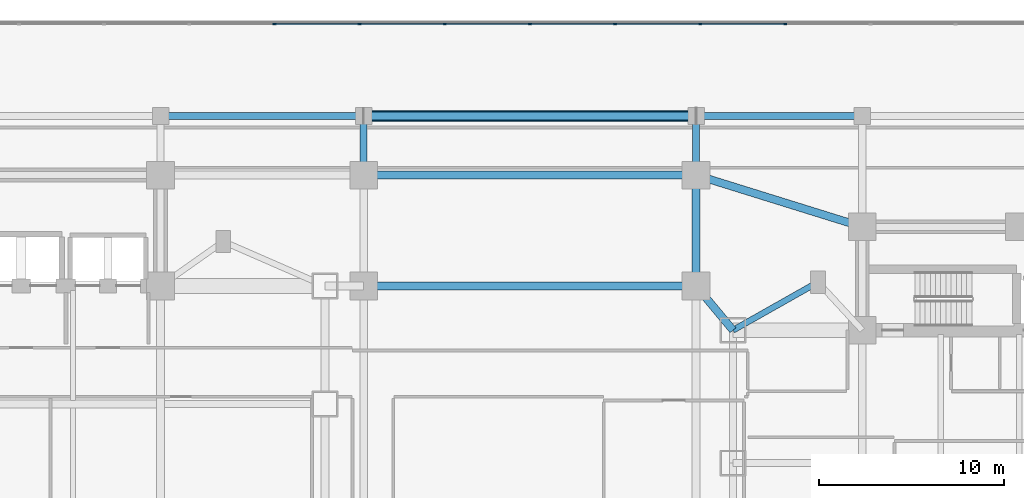
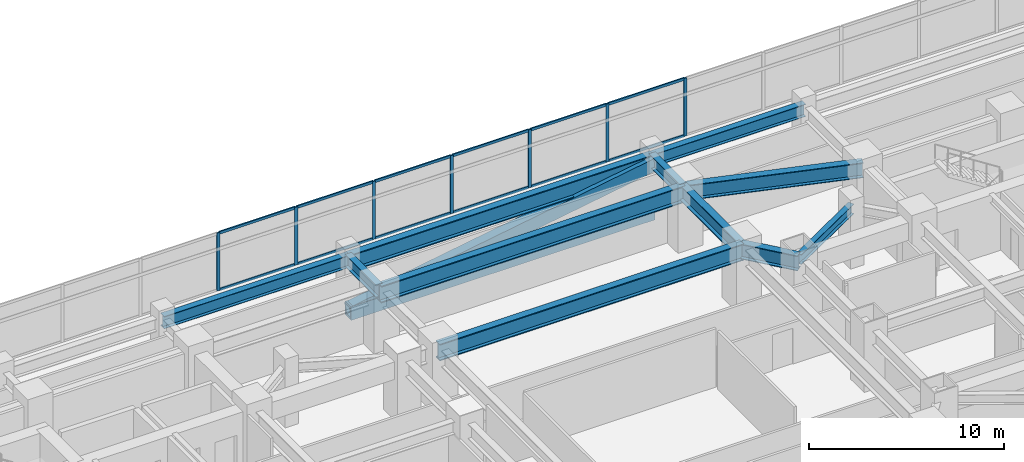
# One storey, part 7 of 27: 21 members, 11 beams, 1 element without a shape of its own.
"""IFC4 building model written with IfcOpenShell, lengths in metres."""

import ifcopenshell
import ifcopenshell.guid

model = None  # the IFC model being written
_history = None  # IfcOwnerHistory: only IFC2X3 demands one
_inside = {}  # id of a spatial element -> (the spatial element, [elements in it])
_under = {}  # id of a project, library or spatial element -> (it, [spatial elements below it])
_declared = {}  # id of a project -> (the project, [libraries it declares])
_typed = {}  # id of a type object -> (the type object, [elements of that type])
_made_of = {}  # id of a material, layer set ... -> (it, [elements and type objects made of it])


def new_model(schema):
    """Start an empty IFC model of exactly this schema.

    Asked for "IFC4X3", IfcOpenShell would pick the latest addendum, in which some entities
    have other attributes; the version numbers below select the first issue.
    IFC2X3 requires an IfcOwnerHistory on every rooted entity: one is made here for all.
    """
    global model, _history
    if schema == "IFC4X3":
        model = ifcopenshell.file(schema_version=(4, 3, 0, 0))
    else:
        model = ifcopenshell.file(schema=schema)
    _inside.clear()
    _under.clear()
    _declared.clear()
    _typed.clear()
    _made_of.clear()
    _history = None
    if model.schema == "IFC2X3":
        org = make("IfcOrganization", Name="unknown")
        user = make(
            "IfcPersonAndOrganization",
            ThePerson=make("IfcPerson", FamilyName="unknown"),
            TheOrganization=org,
        )
        app = make(
            "IfcApplication",
            ApplicationDeveloper=org,
            Version="unknown",
            ApplicationFullName="unknown",
            ApplicationIdentifier="unknown",
        )
        _history = make(
            "IfcOwnerHistory",
            OwningUser=user,
            OwningApplication=app,
            ChangeAction="ADDED",
            CreationDate=0,
        )
    return model


def make(cls, **values):
    """One entity of the class cls with the attributes given. An attribute that is None is left unset."""
    return model.create_entity(
        cls, **{name: value for name, value in values.items() if value is not None}
    )


def rooted(cls, **values):
    """An entity with a GlobalId (a new one), such as an element, a storey or a relation."""
    return make(cls, GlobalId=ifcopenshell.guid.new(), OwnerHistory=_history, **values)


def si_unit(unit_type, name, prefix=None):
    """IfcSIUnit, for example si_unit("LENGTHUNIT", "METRE", prefix="MILLI")."""
    return make("IfcSIUnit", UnitType=unit_type, Prefix=prefix, Name=name)


def assignment(units):
    """IfcUnitAssignment: the units of a project."""
    return None if units is None else make("IfcUnitAssignment", Units=units)


def point(xyz):
    """IfcCartesianPoint."""
    return None if xyz is None else make("IfcCartesianPoint", Coordinates=xyz)


def direction(xyz):
    """IfcDirection."""
    return None if xyz is None else make("IfcDirection", DirectionRatios=xyz)


def frame(location, z_axis=None, x_axis=None):
    """IfcAxis2Placement3D, a coordinate frame: its origin and axes. An axis left out is left unset."""
    return make(
        "IfcAxis2Placement3D",
        Location=point(location),
        Axis=direction(z_axis),
        RefDirection=direction(x_axis),
    )


def frame_2d(location, x_axis=None):
    """IfcAxis2Placement2D, a coordinate frame in the plane: its origin and x axis."""
    return make(
        "IfcAxis2Placement2D", Location=point(location), RefDirection=direction(x_axis)
    )


def origin():
    """The frame at (0, 0, 0) with its axes left unset."""
    return frame((0.0, 0.0, 0.0))


def origin_2d():
    """The frame at (0, 0) in the plane with its x axis left unset."""
    return frame_2d((0.0, 0.0))


def place(relative_to, where):
    """IfcLocalPlacement: puts the frame where relative to a parent placement (None: the world)."""
    return make(
        "IfcLocalPlacement", PlacementRelTo=relative_to, RelativePlacement=where
    )


def context(
    kind, dimensions, precision=None, world=None, true_north=None, identifier=None
):
    """IfcGeometricRepresentationContext, for example the 3D "Model" context."""
    return make(
        "IfcGeometricRepresentationContext",
        ContextIdentifier=identifier,
        ContextType=kind,
        CoordinateSpaceDimension=dimensions,
        Precision=precision,
        WorldCoordinateSystem=world,
        TrueNorth=true_north,
    )


def subcontext(parent, identifier, kind, view, scale=None):
    """IfcGeometricRepresentationSubContext, for example "Body" below "Model"."""
    return make(
        "IfcGeometricRepresentationSubContext",
        ContextIdentifier=identifier,
        ContextType=kind,
        ParentContext=parent,
        TargetScale=scale,
        TargetView=view,
    )


def project(units=None, contexts=None):
    """IfcProject with its units and contexts."""
    return rooted(
        "IfcProject",
        Name="project",
        RepresentationContexts=contexts,
        UnitsInContext=assignment(units),
    )


def spatial(cls, under=None, at=None, **own):
    """A site, building, storey or space (cls), placed at a placement, below another one or the project."""
    s = rooted(cls, ObjectPlacement=at, **own)
    if under is not None:
        _under.setdefault(under.id(), (under, []))[1].append(s)
    return s


def profile(cls, at=None, kind="AREA", **sizes):
    """A parametric profile (cls). Its sizes go by their IFC names, for example OverallWidth=200.0."""
    return make(cls, ProfileType=kind, Position=at, **sizes)


def rectangle(**sizes):
    """IfcRectangleProfileDef."""
    return profile("IfcRectangleProfileDef", **sizes)


def hollow_rectangle(**sizes):
    """IfcRectangleHollowProfileDef."""
    return profile("IfcRectangleHollowProfileDef", **sizes)


def i_section(**sizes):
    """IfcIShapeProfileDef."""
    return profile("IfcIShapeProfileDef", **sizes)


def extrude(swept, where, along, depth):
    """IfcExtrudedAreaSolid: the profile swept, set in the frame where, extruded along a direction by depth."""
    return make(
        "IfcExtrudedAreaSolid",
        SweptArea=swept,
        Position=where,
        ExtrudedDirection=direction(along),
        Depth=depth,
    )


def shape(context_of_items, identifier, shape_type, items):
    """IfcShapeRepresentation: the items that make up one representation, for example the "Body"."""
    return make(
        "IfcShapeRepresentation",
        ContextOfItems=context_of_items,
        RepresentationIdentifier=identifier,
        RepresentationType=shape_type,
        Items=items,
    )


def material(Name=None, Category=None):
    """IfcMaterial."""
    return make("IfcMaterial", Name=Name, Category=Category)


def material_profile(
    of_material, cross_section, Name=None, Category=None, Priority=None
):
    """IfcMaterialProfile: a cross section and its material."""
    return make(
        "IfcMaterialProfile",
        Name=Name,
        Material=of_material,
        Profile=cross_section,
        Priority=Priority,
        Category=Category,
    )


def profile_set(profiles, Name=None, composite=None):
    """IfcMaterialProfileSet."""
    return make(
        "IfcMaterialProfileSet",
        Name=Name,
        MaterialProfiles=profiles,
        CompositeProfile=composite,
    )


def made_of(thing, what):
    """Note that an element or type object is made of a material, layer set ...; save() writes the relation."""
    if what is not None:
        _made_of.setdefault(what.id(), (what, []))[1].append(thing)
    return thing


def type_object(cls, material=None, **own):
    """A type object (cls), such as IfcWallType, which elements share."""
    return made_of(rooted(cls, **own), material)


def element(
    cls,
    number,
    at=None,
    inside=None,
    cuts=None,
    type_object=None,
    material=None,
    context=None,
    identifier="Body",
    shape_type=None,
    held_by="IfcProductDefinitionShape",
    body=None,
    shapes=None,
    **own,
):
    """One element of the class cls, such as IfcWall. Its Tag is "e" and its number.

    at: its placement. inside: the storey or other place that contains it. cuts: it is an
    opening in that element (IfcRelVoidsElement). A single representation is given by context,
    identifier, shape_type and body (its items); several are given by shapes. held_by: the class
    of the entity that holds the representations. save() writes the other relations.
    """
    e = rooted(cls, Tag="e%d" % number, ObjectPlacement=at, **own)
    if body is not None:
        shapes = [shape(context, identifier, shape_type, body)]
    if shapes is not None:
        e.Representation = make(held_by, Representations=shapes)
    if inside is not None:
        _inside.setdefault(inside.id(), (inside, []))[1].append(e)
    if cuts is not None:
        rooted(
            "IfcRelVoidsElement", RelatingBuildingElement=cuts, RelatedOpeningElement=e
        )
    if type_object is not None:
        _typed.setdefault(type_object.id(), (type_object, []))[1].append(e)
    return made_of(e, material)


def aggregate(whole, parts):
    """IfcRelAggregates: a whole, such as a stair, and the parts it consists of."""
    return rooted("IfcRelAggregates", RelatingObject=whole, RelatedObjects=parts)


def save(model, path):
    """Write the relations noted so far, then the file.

    IfcRelAggregates (storeys below a building ...), IfcRelContainedInSpatialStructure (elements
    in a storey), IfcRelDefinesByType, IfcRelAssociatesMaterial and IfcRelDeclares: one each for
    every whole, place, type object, material and project.
    """
    for whole, parts in _under.values():
        aggregate(whole, parts)
    for where, things in _inside.values():
        rooted(
            "IfcRelContainedInSpatialStructure",
            RelatedElements=things,
            RelatingStructure=where,
        )
    for kind, things in _typed.values():
        rooted("IfcRelDefinesByType", RelatedObjects=things, RelatingType=kind)
    for what, things in _made_of.values():
        rooted("IfcRelAssociatesMaterial", RelatedObjects=things, RelatingMaterial=what)
    for by, libraries in _declared.values():
        rooted("IfcRelDeclares", RelatingContext=by, RelatedDefinitions=libraries)
    model.write(path)


model = new_model("IFC4")

# Units and contexts
model_context = context("Model", 3, precision=1e-05, world=origin(), true_north=direction((0.0, 1.0)))
body_context = subcontext(model_context, "Body", "Model", "MODEL_VIEW")
ifc_project = project(units=[si_unit("LENGTHUNIT", "METRE"), si_unit("AREAUNIT", "SQUARE_METRE"), si_unit("VOLUMEUNIT", "CUBIC_METRE"), si_unit("PLANEANGLEUNIT", "RADIAN"), si_unit("MASSUNIT", "GRAM", prefix="KILO")], contexts=[model_context])

# Site, building, storey
site_placement = place(None, origin())
site = spatial("IfcSite", under=ifc_project, at=site_placement, CompositionType="ELEMENT")
building_placement = place(site_placement, origin())
building = spatial("IfcBuilding", under=site, at=building_placement, Name="Mirazonda Arch Towers", CompositionType="ELEMENT")
storey_placement = place(building_placement, frame((0.0, 0.0, 18.10009765625)))
storey = spatial("IfcBuildingStorey", under=building, at=storey_placement, Name="L04", CompositionType="ELEMENT", Elevation=18.10009765625)

# Beams
ifc_material_1 = material(Name="Steel ASTM A992 Grade 50", Category="steel")
ifc_material_profile_1 = material_profile(ifc_material_1, i_section(OverallWidth=0.381103515625, OverallDepth=0.77294921875, WebThickness=0.0166015625, FlangeThickness=0.027099609375, at=origin_2d()), Name="W30X173")
ifc_profile_set_1 = profile_set([ifc_material_profile_1], Name="Steel ASTM A992 Grade 50")
beam_type_1 = type_object("IfcBeamType", Name="BM-EXT-W30X173", PredefinedType="USERDEFINED", material=ifc_profile_set_1)
beam_1_placement = place(storey_placement, frame((30.0, 46.800048828125, 3.263427734375), z_axis=(1.0, 0.0, 0.0), x_axis=(0.0, 1.0, 0.0)))
element("IfcBeam", 1, at=beam_1_placement, inside=storey, type_object=beam_type_1, Name="L04 Floor Beam BM-POD-L04-PN-3", ObjectType="GIRDER", PredefinedType="USERDEFINED", context=body_context, shape_type="SweptSolid", body=[
    extrude(i_section(OverallWidth=0.381103515625, OverallDepth=0.77294921875, WebThickness=0.0166015625, FlangeThickness=0.027099609375, at=origin_2d()), origin(), (0.0, 0.0, 1.0), 11.0),
])
beam_2_placement = place(storey_placement, frame((59.0, 46.800048828125, 3.263427734375), z_axis=(1.0, 0.0, 0.0), x_axis=(0.0, 1.0, 0.0)))
element("IfcBeam", 2, at=beam_2_placement, inside=storey, type_object=beam_type_1, Name="L04 Floor Beam BM-POD-L04-PN-4", ObjectType="GIRDER", PredefinedType="USERDEFINED", context=body_context, shape_type="SweptSolid", body=[
    extrude(i_section(OverallWidth=0.381103515625, OverallDepth=0.77294921875, WebThickness=0.0166015625, FlangeThickness=0.027099609375, at=origin_2d()), origin(), (0.0, 0.0, 1.0), 9.0),
])
ifc_material_profile_2 = material_profile(ifc_material_1, i_section(OverallWidth=0.423095703125, OverallDepth=0.947998046875, WebThickness=0.02392578125, FlangeThickness=0.042724609375, at=origin_2d()), Name="W36X302")
ifc_profile_set_2 = profile_set([ifc_material_profile_2], Name="Steel ASTM A992 Grade 50")
beam_type_2 = type_object("IfcBeamType", Name="BM-EXT-W36X302", PredefinedType="USERDEFINED", material=ifc_profile_set_2)
beam_3_placement = place(storey_placement, frame((59.0, 37.60009765625, 3.17578125), z_axis=(0.0, 1.0, 0.0), x_axis=(-1.0, 0.0, 0.0)))
element("IfcBeam", 3, at=beam_3_placement, inside=storey, type_object=beam_type_2, Name="L04 Floor Beam BM-POD-L04-PA-EL3", ObjectType="GIRDER", PredefinedType="USERDEFINED", context=body_context, shape_type="SweptSolid", body=[
    extrude(i_section(OverallWidth=0.423095703125, OverallDepth=0.947998046875, WebThickness=0.02392578125, FlangeThickness=0.042724609375, at=origin_2d()), origin(), (0.0, 0.0, 1.0), 6.0),
])
ifc_material_profile_3 = material_profile(ifc_material_1, i_section(OverallWidth=0.419921875, OverallDepth=1.0400390625, WebThickness=0.031005859375, FlangeThickness=0.055908203125, at=origin_2d()), Name="W40X397")
ifc_profile_set_3 = profile_set([ifc_material_profile_3], Name="Steel ASTM A992 Grade 50")
beam_type_3 = type_object("IfcBeamType", Name="BM-EXT-W40X397", PredefinedType="USERDEFINED", material=ifc_profile_set_3)
beam_4_placement = place(storey_placement, frame((41.0, 46.800048828125, 3.1298828125), z_axis=(1.0, 0.0, 0.0), x_axis=(0.0, 1.0, 0.0)))
element("IfcBeam", 4, at=beam_4_placement, inside=storey, type_object=beam_type_3, Name="L04 Floor Beam BM-POD-L04-PARCH-6", ObjectType="GIRDER", PredefinedType="USERDEFINED", context=body_context, shape_type="SweptSolid", body=[
    extrude(i_section(OverallWidth=0.419921875, OverallDepth=1.0400390625, WebThickness=0.031005859375, FlangeThickness=0.055908203125, at=origin_2d()), origin(), (0.0, 0.0, 1.0), 18.0),
])
ifc_material_profile_4 = material_profile(ifc_material_1, i_section(OverallWidth=0.324951171875, OverallDepth=0.615966796875, WebThickness=0.013916015625, FlangeThickness=0.021484375, at=origin_2d()), Name="W24X117")
ifc_profile_set_4 = profile_set([ifc_material_profile_4], Name="Steel ASTM A992 Grade 50")
beam_type_4 = type_object("IfcBeamType", Name="BM-INT-W24X117", PredefinedType="BEAM", material=ifc_profile_set_4)
beam_5_placement = place(storey_placement, frame((65.60009765625, 37.800048828125, 3.341796875), z_axis=(-0.870559396632, -0.492063346467, 0.0), x_axis=(0.492063346467, -0.870559396632, 0.0)))
element("IfcBeam", 5, at=beam_5_placement, inside=storey, type_object=beam_type_4, Name="L04 Floor Beam BM-T2-L04-PL-NW2", PredefinedType="BEAM", context=body_context, shape_type="SweptSolid", body=[
    extrude(i_section(OverallWidth=0.324951171875, OverallDepth=0.615966796875, WebThickness=0.013916015625, FlangeThickness=0.021484375, at=origin_2d()), origin(), (0.0, 0.0, 1.0), 5.2841796875),
])
ifc_material_profile_5 = material_profile(ifc_material_1, i_section(OverallWidth=0.381103515625, OverallDepth=0.77294921875, WebThickness=0.0166015625, FlangeThickness=0.027099609375, at=origin_2d()), Name="W30X173")
ifc_profile_set_5 = profile_set([ifc_material_profile_5], Name="Steel ASTM A992 Grade 50")
beam_type_5 = type_object("IfcBeamType", Name="BM-INT-W30X173", PredefinedType="USERDEFINED", material=ifc_profile_set_5)
for number, where, z_axis, x_axis, name in (
    (6, (41.0, 43.60009765625, 3.263427734375), (0.0, 1.0, 0.0), (-1.0, 0.0, 0.0), "L04 Floor Beam BM-POD-L04-PCN-4"),
    (7, (59.0, 43.60009765625, 3.263427734375), (0.0, 1.0, 0.0), (-1.0, 0.0, 0.0), "L04 Floor Beam BM-POD-L04-PCN-5"),
):
    element("IfcBeam", number, at=place(storey_placement, frame(where, z_axis=z_axis, x_axis=x_axis)), inside=storey, type_object=beam_type_5, Name=name, ObjectType="GIRDER", PredefinedType="USERDEFINED", context=body_context, shape_type="SweptSolid", body=[
        extrude(i_section(OverallWidth=0.381103515625, OverallDepth=0.77294921875, WebThickness=0.0166015625, FlangeThickness=0.027099609375, at=origin_2d()), origin(), (0.0, 0.0, 1.0), 3.199951171875),
    ])
ifc_material_profile_6 = material_profile(ifc_material_1, i_section(OverallWidth=0.423095703125, OverallDepth=0.947998046875, WebThickness=0.02392578125, FlangeThickness=0.042724609375, at=origin_2d()), Name="W36X302")
ifc_profile_set_6 = profile_set([ifc_material_profile_6], Name="Steel ASTM A992 Grade 50")
beam_type_6 = type_object("IfcBeamType", Name="BM-INT-W36X302", PredefinedType="USERDEFINED", material=ifc_profile_set_6)
beam_6_placement = place(storey_placement, frame((59.0, 37.60009765625, 3.17578125), z_axis=(0.640161340286, -0.76824049516, 0.0), x_axis=(0.76824049516, 0.640161340286, 0.0)))
element("IfcBeam", 8, at=beam_6_placement, inside=storey, type_object=beam_type_6, Name="L04 Floor Beam BM-POD-L04-PA-E3", ObjectType="GIRDER", PredefinedType="USERDEFINED", context=body_context, shape_type="SweptSolid", body=[
    extrude(i_section(OverallWidth=0.423095703125, OverallDepth=0.947998046875, WebThickness=0.02392578125, FlangeThickness=0.042724609375, at=origin_2d()), origin(), (0.0, 0.0, 1.0), 3.124267578125),
])
beam_7_placement = place(storey_placement, frame((59.0, 43.60009765625, 3.17578125), z_axis=(0.954855306861, -0.29707127589, 0.0), x_axis=(0.29707127589, 0.954855306861, 0.0)))
element("IfcBeam", 9, at=beam_7_placement, inside=storey, type_object=beam_type_6, Name="L04 Floor Beam BM-POD-L04-PA-E4", ObjectType="GIRDER", PredefinedType="USERDEFINED", context=body_context, shape_type="SweptSolid", body=[
    extrude(i_section(OverallWidth=0.423095703125, OverallDepth=0.947998046875, WebThickness=0.02392578125, FlangeThickness=0.042724609375, at=origin_2d()), origin(), (0.0, 0.0, 1.0), 9.425537109375),
])
ifc_material_profile_7 = material_profile(ifc_material_1, i_section(OverallWidth=0.419921875, OverallDepth=1.0400390625, WebThickness=0.031005859375, FlangeThickness=0.055908203125, at=origin_2d()), Name="W40X397")
ifc_profile_set_7 = profile_set([ifc_material_profile_7], Name="Steel ASTM A992 Grade 50")
beam_type_7 = type_object("IfcBeamType", Name="BM-INT-W40X397", PredefinedType="USERDEFINED", material=ifc_profile_set_7)
for number, where, z_axis, x_axis, name in (
    (10, (41.0, 37.60009765625, 3.1298828125), (1.0, 0.0, 0.0), (0.0, 1.0, 0.0), "L04 Floor Beam BM-POD-L04-PARCH-4"),
    (11, (41.0, 43.60009765625, 3.1298828125), (1.0, 0.0, 0.0), (0.0, 1.0, 0.0), "L04 Floor Beam BM-POD-L04-PARCH-5"),
):
    element("IfcBeam", number, at=place(storey_placement, frame(where, z_axis=z_axis, x_axis=x_axis)), inside=storey, type_object=beam_type_7, Name=name, ObjectType="GIRDER", PredefinedType="USERDEFINED", context=body_context, shape_type="SweptSolid", body=[
        extrude(i_section(OverallWidth=0.419921875, OverallDepth=1.0400390625, WebThickness=0.031005859375, FlangeThickness=0.055908203125, at=origin_2d()), origin(), (0.0, 0.0, 1.0), 18.0),
    ])

# Members
ifc_material_2 = material(Name="Steel ASTM A572 Grade 50", Category="steel")
ifc_material_profile_8 = material_profile(ifc_material_2, hollow_rectangle(XDim=0.60009765625, YDim=0.85009765625, WallThickness=0.048095703125, at=origin_2d()), Name="BELTCHORD850x600x48")
ifc_profile_set_8 = profile_set([ifc_material_profile_8], Name="Steel ASTM A572 Grade 50")
member_type_1 = type_object("IfcMemberType", Name="MBR-INT-BELTCHORD850x600x48", PredefinedType="CHORD", material=ifc_profile_set_8)
member_1_placement = place(storey_placement, frame((41.0, 46.800048828125, 0.0498046875), z_axis=(1.0, 0.0, 0.0), x_axis=(0.0, 1.0, 0.0)))
element("IfcMember", 12, at=member_1_placement, inside=storey, type_object=member_type_1, Name="L04 Transfer Truss Bottom Chord 02", PredefinedType="CHORD", context=body_context, shape_type="SweptSolid", body=[
    extrude(hollow_rectangle(XDim=0.60009765625, YDim=0.85009765625, WallThickness=0.048095703125, at=origin_2d()), origin(), (0.0, 0.0, 1.0), 18.0),
])
ifc_material_profile_9 = material_profile(ifc_material_2, hollow_rectangle(XDim=0.550048828125, YDim=0.800048828125, WallThickness=0.044921875, at=origin_2d()), Name="OUTRIGGER800x550x45")
ifc_profile_set_9 = profile_set([ifc_material_profile_9], Name="Steel ASTM A572 Grade 50")
member_type_2 = type_object("IfcMemberType", Name="MBR-INT-OUTRIGGER800x550x45", PredefinedType="BRACE", material=ifc_profile_set_9)
member_2_placement = place(storey_placement, frame((41.0, 46.800048828125, 0.0498046875), z_axis=(0.986393923832, 0.0, 0.164398987305), x_axis=(0.0, 1.0, 0.0)))
element("IfcMember", 13, at=member_2_placement, inside=storey, type_object=member_type_2, Name="L04 Transfer Truss Diagonal 02A", PredefinedType="BRACE", context=body_context, shape_type="SweptSolid", body=[
    extrude(hollow_rectangle(XDim=0.550048828125, YDim=0.800048828125, WallThickness=0.044921875, at=origin_2d()), origin(), (0.0, 0.0, 1.0), 18.248291015625),
])

# Curtain wall, members
ifc_material_3 = material(Name="Anodised Aluminium and Low-E Glass", Category="aluminium")
curtain_wall_type = type_object("IfcCurtainWallType", Name="CW-POD-STORE", PredefinedType="NOTDEFINED", material=ifc_material_3)
curtain_wall_placement = place(storey_placement, origin())
curtain_wall = element("IfcCurtainWall", 14, at=curtain_wall_placement, inside=storey, type_object=curtain_wall_type, Name="L04 Curtain Wall CW-L04-N1", PredefinedType="NOTDEFINED")
ifc_material_4 = material(Name="Anodised Aluminium Alloy", Category="aluminium")
ifc_material_profile_10 = material_profile(ifc_material_4, rectangle(XDim=0.080078125, YDim=0.179931640625, at=origin_2d()), Name="ALU-MULL-80x180")
ifc_profile_set_10 = profile_set([ifc_material_profile_10], Name="Anodised Aluminium Alloy")
member_type_3 = type_object("IfcMemberType", Name="MULL-CW-POD-STORE", PredefinedType="MULLION", material=ifc_profile_set_10)
member_3_placement = place(storey_placement, frame((36.166748046875, 51.780029296875, 0.0), z_axis=(0.0, 0.0, 1.0), x_axis=(0.0, 1.0, 0.0)))
member_3 = element("IfcMember", 15, at=member_3_placement, type_object=member_type_3, Name="CW-102 mullion 7", PredefinedType="MULLION", context=body_context, shape_type="SweptSolid", body=[
    extrude(rectangle(XDim=0.080078125, YDim=0.179931640625, at=origin_2d()), origin(), (0.0, 0.0, 1.0), 3.6298828125),
])
member_4_placement = place(storey_placement, frame((40.77783203125, 51.780029296875, 0.0), z_axis=(0.0, 0.0, 1.0), x_axis=(0.0, 1.0, 0.0)))
member_4 = element("IfcMember", 16, at=member_4_placement, type_object=member_type_3, Name="CW-102 mullion 8", PredefinedType="MULLION", context=body_context, shape_type="SweptSolid", body=[
    extrude(rectangle(XDim=0.080078125, YDim=0.179931640625, at=origin_2d()), origin(), (0.0, 0.0, 1.0), 3.6298828125),
])
member_5_placement = place(storey_placement, frame((45.388916015625, 51.780029296875, 0.0), z_axis=(0.0, 0.0, 1.0), x_axis=(0.0, 1.0, 0.0)))
member_5 = element("IfcMember", 17, at=member_5_placement, type_object=member_type_3, Name="CW-102 mullion 9", PredefinedType="MULLION", context=body_context, shape_type="SweptSolid", body=[
    extrude(rectangle(XDim=0.080078125, YDim=0.179931640625, at=origin_2d()), origin(), (0.0, 0.0, 1.0), 3.6298828125),
])
member_6_placement = place(storey_placement, frame((50.0, 51.780029296875, 0.0), z_axis=(0.0, 0.0, 1.0), x_axis=(0.0, 1.0, 0.0)))
member_6 = element("IfcMember", 18, at=member_6_placement, type_object=member_type_3, Name="CW-102 mullion 10", PredefinedType="MULLION", context=body_context, shape_type="SweptSolid", body=[
    extrude(rectangle(XDim=0.080078125, YDim=0.179931640625, at=origin_2d()), origin(), (0.0, 0.0, 1.0), 3.6298828125),
])
member_7_placement = place(storey_placement, frame((54.611083984375, 51.780029296875, 0.0), z_axis=(0.0, 0.0, 1.0), x_axis=(0.0, 1.0, 0.0)))
member_7 = element("IfcMember", 19, at=member_7_placement, type_object=member_type_3, Name="CW-102 mullion 11", PredefinedType="MULLION", context=body_context, shape_type="SweptSolid", body=[
    extrude(rectangle(XDim=0.080078125, YDim=0.179931640625, at=origin_2d()), origin(), (0.0, 0.0, 1.0), 3.6298828125),
])
member_8_placement = place(storey_placement, frame((59.22216796875, 51.780029296875, 0.0), z_axis=(0.0, 0.0, 1.0), x_axis=(0.0, 1.0, 0.0)))
member_8 = element("IfcMember", 20, at=member_8_placement, type_object=member_type_3, Name="CW-102 mullion 12", PredefinedType="MULLION", context=body_context, shape_type="SweptSolid", body=[
    extrude(rectangle(XDim=0.080078125, YDim=0.179931640625, at=origin_2d()), origin(), (0.0, 0.0, 1.0), 3.6298828125),
])
member_9_placement = place(storey_placement, frame((63.833251953125, 51.780029296875, 0.0), z_axis=(0.0, 0.0, 1.0), x_axis=(0.0, 1.0, 0.0)))
member_9 = element("IfcMember", 21, at=member_9_placement, type_object=member_type_3, Name="CW-102 mullion 13", PredefinedType="MULLION", context=body_context, shape_type="SweptSolid", body=[
    extrude(rectangle(XDim=0.080078125, YDim=0.179931640625, at=origin_2d()), origin(), (0.0, 0.0, 1.0), 3.6298828125),
])
ifc_material_profile_11 = material_profile(ifc_material_4, rectangle(XDim=0.080078125, YDim=0.159912109375, at=origin_2d()), Name="ALU-TRAN-80x160")
ifc_profile_set_11 = profile_set([ifc_material_profile_11], Name="Anodised Aluminium Alloy")
member_type_4 = type_object("IfcMemberType", Name="TRAN-CW-POD-STORE", PredefinedType="USERDEFINED", material=ifc_profile_set_11)
member_10_placement = place(storey_placement, frame((36.206787109375, 51.780029296875, 0.039794921875), z_axis=(1.0, 0.0, 0.0), x_axis=(0.0, 1.0, 0.0)))
member_10 = element("IfcMember", 22, at=member_10_placement, type_object=member_type_4, Name="CW-102 transom 7.1", ObjectType="TRANSOM", PredefinedType="USERDEFINED", context=body_context, shape_type="SweptSolid", body=[
    extrude(rectangle(XDim=0.080078125, YDim=0.159912109375, at=origin_2d()), origin(), (0.0, 0.0, 1.0), 4.531005859375),
])
member_11_placement = place(storey_placement, frame((36.206787109375, 51.780029296875, 3.58984375), z_axis=(1.0, 0.0, 0.0), x_axis=(0.0, 1.0, 0.0)))
member_11 = element("IfcMember", 23, at=member_11_placement, type_object=member_type_4, Name="CW-102 transom 7.2", ObjectType="TRANSOM", PredefinedType="USERDEFINED", context=body_context, shape_type="SweptSolid", body=[
    extrude(rectangle(XDim=0.080078125, YDim=0.159912109375, at=origin_2d()), origin(), (0.0, 0.0, 1.0), 4.531005859375),
])
member_12_placement = place(storey_placement, frame((40.81787109375, 51.780029296875, 0.039794921875), z_axis=(1.0, 0.0, 0.0), x_axis=(0.0, 1.0, 0.0)))
member_12 = element("IfcMember", 24, at=member_12_placement, type_object=member_type_4, Name="CW-102 transom 8.1", ObjectType="TRANSOM", PredefinedType="USERDEFINED", context=body_context, shape_type="SweptSolid", body=[
    extrude(rectangle(XDim=0.080078125, YDim=0.159912109375, at=origin_2d()), origin(), (0.0, 0.0, 1.0), 4.531005859375),
])
member_13_placement = place(storey_placement, frame((40.81787109375, 51.780029296875, 3.58984375), z_axis=(1.0, 0.0, 0.0), x_axis=(0.0, 1.0, 0.0)))
member_13 = element("IfcMember", 25, at=member_13_placement, type_object=member_type_4, Name="CW-102 transom 8.2", ObjectType="TRANSOM", PredefinedType="USERDEFINED", context=body_context, shape_type="SweptSolid", body=[
    extrude(rectangle(XDim=0.080078125, YDim=0.159912109375, at=origin_2d()), origin(), (0.0, 0.0, 1.0), 4.531005859375),
])
member_14_placement = place(storey_placement, frame((45.428955078125, 51.780029296875, 0.039794921875), z_axis=(1.0, 0.0, 0.0), x_axis=(0.0, 1.0, 0.0)))
member_14 = element("IfcMember", 26, at=member_14_placement, type_object=member_type_4, Name="CW-102 transom 9.1", ObjectType="TRANSOM", PredefinedType="USERDEFINED", context=body_context, shape_type="SweptSolid", body=[
    extrude(rectangle(XDim=0.080078125, YDim=0.159912109375, at=origin_2d()), origin(), (0.0, 0.0, 1.0), 4.531005859375),
])
member_15_placement = place(storey_placement, frame((45.428955078125, 51.780029296875, 3.58984375), z_axis=(1.0, 0.0, 0.0), x_axis=(0.0, 1.0, 0.0)))
member_15 = element("IfcMember", 27, at=member_15_placement, type_object=member_type_4, Name="CW-102 transom 9.2", ObjectType="TRANSOM", PredefinedType="USERDEFINED", context=body_context, shape_type="SweptSolid", body=[
    extrude(rectangle(XDim=0.080078125, YDim=0.159912109375, at=origin_2d()), origin(), (0.0, 0.0, 1.0), 4.531005859375),
])
member_16_placement = place(storey_placement, frame((50.0400390625, 51.780029296875, 0.039794921875), z_axis=(1.0, 0.0, 0.0), x_axis=(0.0, 1.0, 0.0)))
member_16 = element("IfcMember", 28, at=member_16_placement, type_object=member_type_4, Name="CW-102 transom 10.1", ObjectType="TRANSOM", PredefinedType="USERDEFINED", context=body_context, shape_type="SweptSolid", body=[
    extrude(rectangle(XDim=0.080078125, YDim=0.159912109375, at=origin_2d()), origin(), (0.0, 0.0, 1.0), 4.531005859375),
])
member_17_placement = place(storey_placement, frame((50.0400390625, 51.780029296875, 3.58984375), z_axis=(1.0, 0.0, 0.0), x_axis=(0.0, 1.0, 0.0)))
member_17 = element("IfcMember", 29, at=member_17_placement, type_object=member_type_4, Name="CW-102 transom 10.2", ObjectType="TRANSOM", PredefinedType="USERDEFINED", context=body_context, shape_type="SweptSolid", body=[
    extrude(rectangle(XDim=0.080078125, YDim=0.159912109375, at=origin_2d()), origin(), (0.0, 0.0, 1.0), 4.531005859375),
])
member_18_placement = place(storey_placement, frame((54.651123046875, 51.780029296875, 0.039794921875), z_axis=(1.0, 0.0, 0.0), x_axis=(0.0, 1.0, 0.0)))
member_18 = element("IfcMember", 30, at=member_18_placement, type_object=member_type_4, Name="CW-102 transom 11.1", ObjectType="TRANSOM", PredefinedType="USERDEFINED", context=body_context, shape_type="SweptSolid", body=[
    extrude(rectangle(XDim=0.080078125, YDim=0.159912109375, at=origin_2d()), origin(), (0.0, 0.0, 1.0), 4.531005859375),
])
member_19_placement = place(storey_placement, frame((54.651123046875, 51.780029296875, 3.58984375), z_axis=(1.0, 0.0, 0.0), x_axis=(0.0, 1.0, 0.0)))
member_19 = element("IfcMember", 31, at=member_19_placement, type_object=member_type_4, Name="CW-102 transom 11.2", ObjectType="TRANSOM", PredefinedType="USERDEFINED", context=body_context, shape_type="SweptSolid", body=[
    extrude(rectangle(XDim=0.080078125, YDim=0.159912109375, at=origin_2d()), origin(), (0.0, 0.0, 1.0), 4.531005859375),
])
member_20_placement = place(storey_placement, frame((59.26220703125, 51.780029296875, 0.039794921875), z_axis=(1.0, 0.0, 0.0), x_axis=(0.0, 1.0, 0.0)))
member_20 = element("IfcMember", 32, at=member_20_placement, type_object=member_type_4, Name="CW-102 transom 12.1", ObjectType="TRANSOM", PredefinedType="USERDEFINED", context=body_context, shape_type="SweptSolid", body=[
    extrude(rectangle(XDim=0.080078125, YDim=0.159912109375, at=origin_2d()), origin(), (0.0, 0.0, 1.0), 4.531005859375),
])
member_21_placement = place(storey_placement, frame((59.26220703125, 51.780029296875, 3.58984375), z_axis=(1.0, 0.0, 0.0), x_axis=(0.0, 1.0, 0.0)))
member_21 = element("IfcMember", 33, at=member_21_placement, type_object=member_type_4, Name="CW-102 transom 12.2", ObjectType="TRANSOM", PredefinedType="USERDEFINED", context=body_context, shape_type="SweptSolid", body=[
    extrude(rectangle(XDim=0.080078125, YDim=0.159912109375, at=origin_2d()), origin(), (0.0, 0.0, 1.0), 4.531005859375),
])
aggregate(curtain_wall, [member_3, member_4, member_5, member_6, member_7, member_8, member_9, member_10, member_11, member_12, member_13, member_14, member_15, member_16, member_17, member_18, member_19, member_20, member_21])

save(model, "model.ifc")
